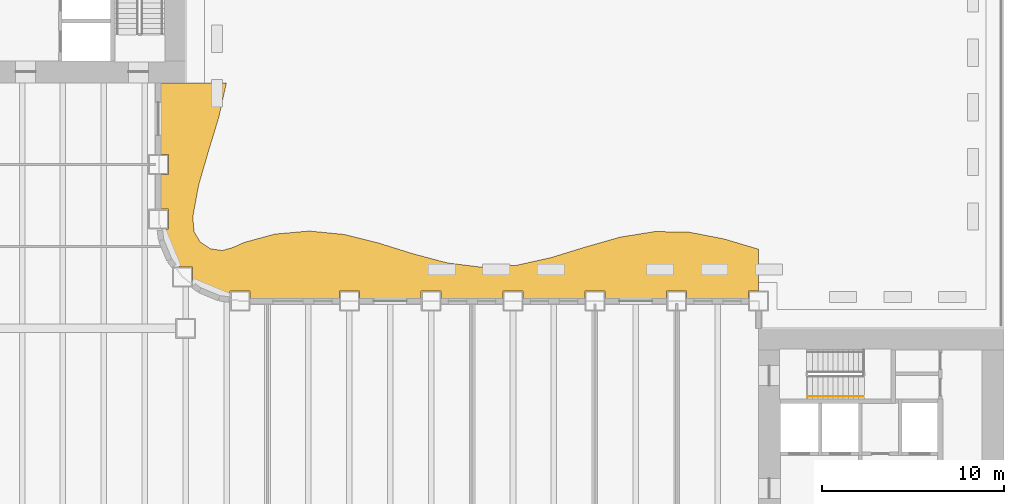
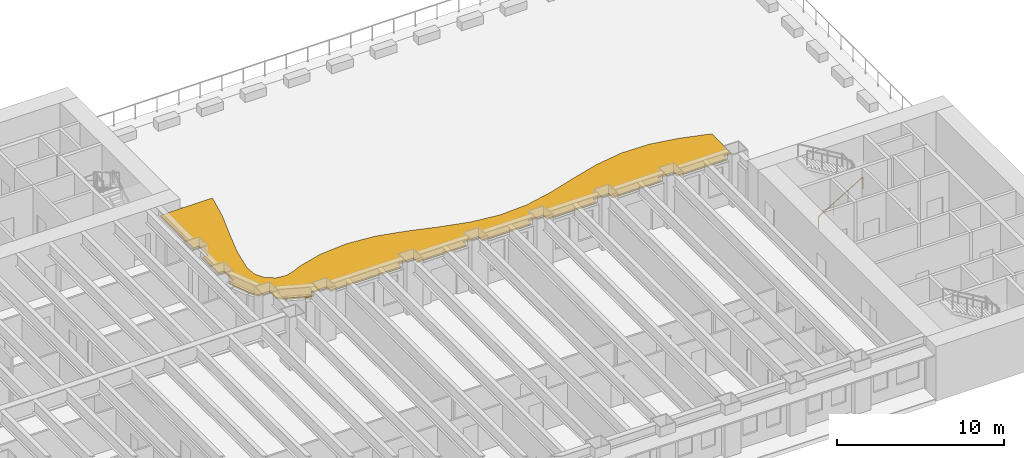
# One storey, part 14 of 18: 1 railing, 1 shading device.
"""IFC4 building model written with IfcOpenShell, lengths in metres."""

from ifc_helpers import new_model, si_unit, direction, frame, origin, origin_2d, place, context, subcontext, project, spatial, polyline, rectangle, outline, extrude, material, layer, layer_set, type_object, element, save


model = new_model("IFC4")

# Units and contexts
model_context = context("Model", 3, precision=1e-05, world=origin(), true_north=direction((0.0, 1.0)))
body_context = subcontext(model_context, "Body", "Model", "MODEL_VIEW")
ifc_project = project(units=[si_unit("LENGTHUNIT", "METRE"), si_unit("AREAUNIT", "SQUARE_METRE"), si_unit("VOLUMEUNIT", "CUBIC_METRE"), si_unit("PLANEANGLEUNIT", "RADIAN"), si_unit("MASSUNIT", "GRAM", prefix="KILO")], contexts=[model_context])

# Site, building, storey
site_placement = place(None, origin())
site = spatial("IfcSite", under=ifc_project, at=site_placement, CompositionType="ELEMENT")
building_placement = place(site_placement, origin())
building = spatial("IfcBuilding", under=site, at=building_placement, Name="Sennacour Bend Tower", CompositionType="ELEMENT")
storey_placement = place(building_placement, frame((0.0, 0.0, 29.0)))
storey = spatial("IfcBuildingStorey", under=building, at=storey_placement, Name="L05", CompositionType="ELEMENT", Elevation=29.0)

# Railing
ifc_material_1 = material(Name="Stainless steel", Category="steel")
railing_type = type_object("IfcRailingType", Name="RL-HANDRAIL-900", PredefinedType="HANDRAIL", material=ifc_material_1)
railing_placement = place(storey_placement, frame((56.699951171875, 18.75, 0.166748046875)))
element("IfcRailing", 1, at=railing_placement, inside=storey, type_object=railing_type, Name="L05 SA2 stair handrail 1", PredefinedType="HANDRAIL", context=body_context, shape_type="SweptSolid", body=[
    extrude(rectangle(XDim=0.048095703125, YDim=0.048095703125, at=origin_2d()), frame((0.0, 0.0, 0.8759765625), z_axis=(0.859308565015, 0.0, 0.511457515432), x_axis=(0.0, 1.0, 0.0)), (0.0, 0.0, 1.0), 3.58447265625),
    extrude(rectangle(XDim=0.0419921875, YDim=0.0419921875, at=origin_2d()), origin(), (0.0, 0.0, 1.0), 0.851806640625),
    extrude(rectangle(XDim=0.0419921875, YDim=0.0419921875, at=origin_2d()), frame((1.026611328125, 0.0, 0.611083984375)), (0.0, 0.0, 1.0), 0.851806640625),
    extrude(rectangle(XDim=0.0419921875, YDim=0.0419921875, at=origin_2d()), frame((2.053466796875, 0.0, 1.22216796875)), (0.0, 0.0, 1.0), 0.851806640625),
    extrude(rectangle(XDim=0.0419921875, YDim=0.0419921875, at=origin_2d()), frame((3.080078125, 0.0, 1.833251953125)), (0.0, 0.0, 1.0), 0.851806640625),
])

# Shading device
ifc_material_2 = material(Name="Bronze anodised aluminium", Category="aluminium")
ifc_layer = layer(ifc_material_2, 0.1201171875, Name="Bronze anodised aluminium", Category="aluminium")
ifc_layer_set = layer_set([ifc_layer], Name="Bronze anodised aluminium")
shading_device_type = type_object("IfcShadingDeviceType", Name="SUNSHADE BAND WAVE", PredefinedType="USERDEFINED", material=ifc_layer_set)
shading_device_placement = place(storey_placement, frame((0.0, 0.0, 3.02392578125)))
element("IfcShadingDevice", 2, at=shading_device_placement, inside=storey, type_object=shading_device_type, Name="Sunshade band L05 concave faces", ObjectType="SUNSHADE", PredefinedType="USERDEFINED", context=body_context, shape_type="SweptSolid", body=[
    extrude(outline(polyline([(53.449951171875, 24.14990234375), (50.050048828125, 24.14990234375), (50.050048828125, 24.550048828125), (48.949951171875, 24.550048828125), (48.949951171875, 24.14990234375), (45.550048828125, 24.14990234375), (45.550048828125, 24.550048828125), (44.449951171875, 24.550048828125), (44.449951171875, 24.14990234375), (41.050048828125, 24.14990234375), (41.050048828125, 24.550048828125), (39.949951171875, 24.550048828125), (39.949951171875, 24.14990234375), (36.550048828125, 24.14990234375), (36.550048828125, 24.550048828125), (35.449951171875, 24.550048828125), (35.449951171875, 24.14990234375), (32.050048828125, 24.14990234375), (32.050048828125, 24.550048828125), (30.949951171875, 24.550048828125), (30.949951171875, 24.14990234375), (26.050048828125, 24.14990234375), (26.050048828125, 24.550048828125), (24.949951171875, 24.550048828125), (24.949951171875, 24.2236328125), (24.37451171875, 24.299560546875), (23.32568359375, 24.73388671875), (22.8681640625, 25.0849609375), (22.8681640625, 25.8681640625), (22.0849609375, 25.8681640625), (21.73388671875, 26.32568359375), (21.299560546875, 27.37451171875), (21.2236328125, 27.949951171875), (21.550048828125, 27.949951171875), (21.550048828125, 29.050048828125), (21.14990234375, 29.050048828125), (21.14990234375, 30.949951171875), (21.550048828125, 30.949951171875), (21.550048828125, 32.050048828125), (21.14990234375, 32.050048828125), (21.14990234375, 36.0), (24.738525390625, 36.0), (24.328857421875, 34.125), (23.75439453125, 32.25), (23.212890625, 30.375), (22.890380859375, 28.623779296875), (22.95947265625, 27.8193359375), (23.309814453125, 27.235595703125), (23.87109375, 26.87109375), (24.50732421875, 26.78076171875), (25.081298828125, 26.937744140625), (25.711181640625, 27.2216796875), (27.39990234375, 27.6826171875), (29.300048828125, 27.849853515625), (31.199951171875, 27.66455078125), (33.10009765625, 27.19189453125), (35.0, 26.598876953125), (36.89990234375, 26.09423828125), (38.800048828125, 25.856201171875), (40.699951171875, 25.968505859375), (42.60009765625, 26.391845703125), (44.5, 26.9765625), (46.39990234375, 27.516845703125), (48.300048828125, 27.82177734375), (50.199951171875, 27.7841796875), (52.10009765625, 27.4169921875), (54.0, 26.85009765625), (54.0, 24.550048828125), (53.449951171875, 24.550048828125), (53.449951171875, 24.14990234375)])), origin(), (0.0, 0.0, 1.0), 0.1201171875),
])

save(model, "model.ifc")
